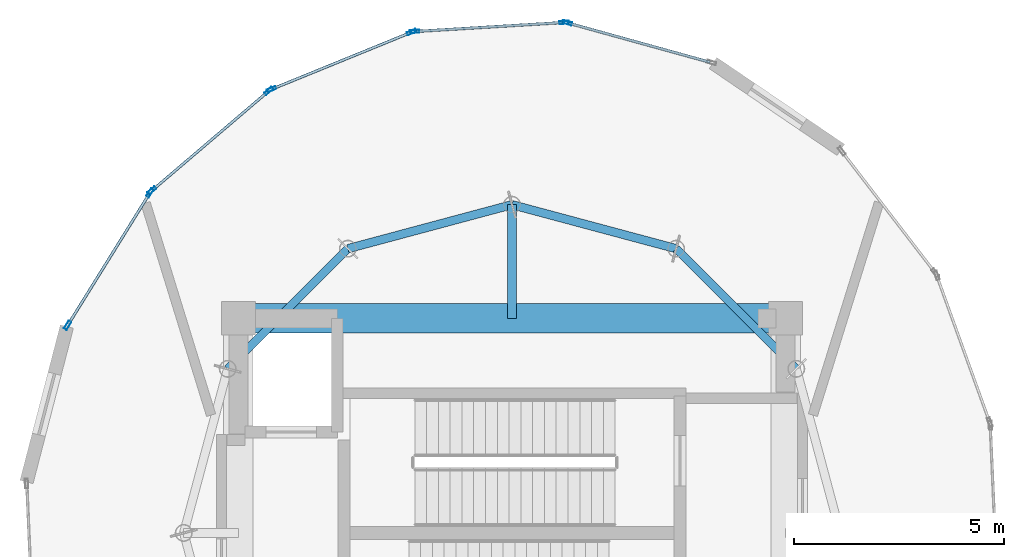
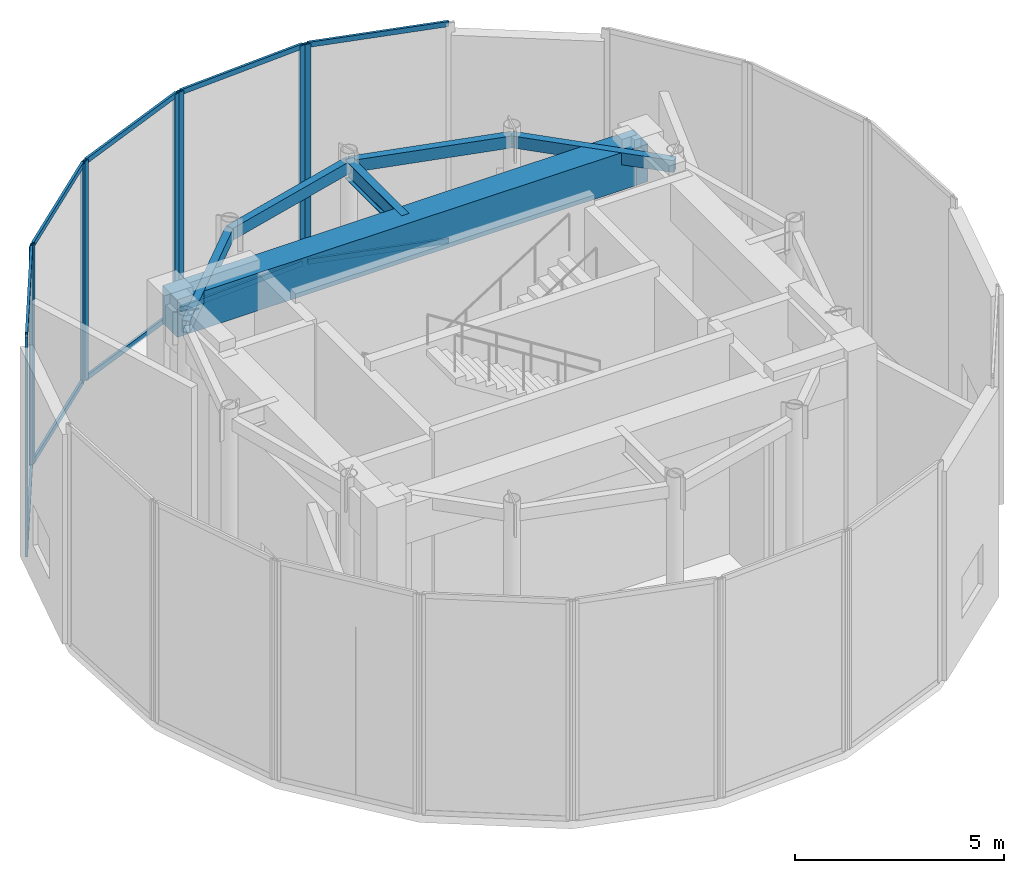
# One storey, part 5 of 9: 19 members, 6 beams, 5 elements without a shape of their own.
"""IFC4 building model written with IfcOpenShell, lengths in metres."""

from ifc_helpers import new_model, si_unit, direction, frame, origin, origin_2d, place, context, subcontext, project, spatial, rectangle, hollow_rectangle, i_section, extrude, source, transform, mapped, material, layer, layer_set, material_profile, profile_set, type_object, element, aggregate, save


model = new_model("IFC4")

# Units and contexts
model_context = context("Model", 3, precision=1e-05, world=origin(), true_north=direction((0.0, 1.0)))
body_context = subcontext(model_context, "Body", "Model", "MODEL_VIEW")
ifc_project = project(units=[si_unit("LENGTHUNIT", "METRE"), si_unit("AREAUNIT", "SQUARE_METRE"), si_unit("VOLUMEUNIT", "CUBIC_METRE"), si_unit("PLANEANGLEUNIT", "RADIAN"), si_unit("MASSUNIT", "GRAM", prefix="KILO")], contexts=[model_context])

# Site, building, storey
site_placement = place(None, origin())
site = spatial("IfcSite", under=ifc_project, at=site_placement, CompositionType="ELEMENT")
building_placement = place(site_placement, origin())
building = spatial("IfcBuilding", under=site, at=building_placement, Name="Solvirekh Grand Hotel", CompositionType="ELEMENT")
storey_placement = place(building_placement, frame((0.0, 0.0, 314.60009765625)))
storey = spatial("IfcBuildingStorey", under=building, at=storey_placement, Name="L80", CompositionType="ELEMENT", Elevation=314.60009765625)

# Beams
ifc_material_1 = material(Name="Concrete C60/75", Category="concrete")
ifc_material_profile_1 = material_profile(ifc_material_1, rectangle(XDim=0.699951171875, YDim=1.10009765625, at=origin_2d()), Name="RC BEAM 700X1100")
ifc_profile_set_1 = profile_set([ifc_material_profile_1], Name="Concrete C60/75")
beam_type_1 = type_object("IfcBeamType", Name="Beam_Core_RC1100", PredefinedType="BEAM", material=ifc_profile_set_1)
beam_1_placement = place(storey_placement, frame((6.5, 5.10009765625, 5.56982421875), z_axis=(-1.0, 0.0, 0.0), x_axis=(0.0, -1.0, 0.0)))
element("IfcBeam", 1, at=beam_1_placement, inside=storey, type_object=beam_type_1, Name="L80 core coupling ring beam 3", PredefinedType="BEAM", context=body_context, shape_type="SweptSolid", body=[
    extrude(rectangle(XDim=0.699951171875, YDim=1.10009765625, at=origin_2d()), origin(), (0.0, 0.0, 1.0), 13.0),
])
ifc_material_2 = material(Name="Steel S355", Category="steel")
ifc_material_profile_2 = material_profile(ifc_material_2, i_section(OverallWidth=0.2119140625, OverallDepth=0.5439453125, WebThickness=0.011962890625, FlangeThickness=0.01904296875, FilletRadius=0.013916015625, at=origin_2d()), Name="W530X123")
ifc_profile_set_2 = profile_set([ifc_material_profile_2], Name="Steel S355")
beam_type_2 = type_object("IfcBeamType", Name="Beam_Radial_W530H", PredefinedType="BEAM", material=ifc_profile_set_2)
beam_2_placement = place(storey_placement, frame((0.0, 5.10009765625, 5.847900390625), z_axis=(0.0, 1.0, 0.0), x_axis=(-1.0, 0.0, 0.0)))
element("IfcBeam", 2, at=beam_2_placement, inside=storey, type_object=beam_type_2, Name="L80 radial floor beam R04", PredefinedType="BEAM", context=body_context, shape_type="SweptSolid", body=[
    extrude(i_section(OverallWidth=0.2119140625, OverallDepth=0.5439453125, WebThickness=0.011962890625, FlangeThickness=0.01904296875, FilletRadius=0.013916015625, at=origin_2d()), origin(), (0.0, 0.0, 1.0), 2.699951171875),
])
ifc_material_profile_3 = material_profile(ifc_material_2, hollow_rectangle(XDim=0.199951171875, YDim=0.35009765625, WallThickness=0.013916015625, at=origin_2d()), Name="RHS 350X200X14")
ifc_profile_set_3 = profile_set([ifc_material_profile_3], Name="Steel S355")
beam_type_3 = type_object("IfcBeamType", Name="Spandrel_Crown_RHS350", PredefinedType="SPANDREL", material=ifc_profile_set_3)
for number, where, z_axis, x_axis, name in (
    (3, (6.7548828125, 3.89990234375, 5.94482421875), (-0.707106781187, 0.707106781187, 0.0), (-0.707106781187, -0.707106781187, 0.0), "L80 perimeter spandrel beam 2"),
    (4, (3.89990234375, 6.7548828125, 5.94482421875), (-0.965914040095, 0.258863027773, 0.0), (-0.258863027773, -0.965914040095, 0.0), "L80 perimeter spandrel beam 3"),
    (5, (0.0, 7.800048828125, 5.94482421875), (-0.965914040095, -0.258863027773, 0.0), (0.258863027773, -0.965914040095, 0.0), "L80 perimeter spandrel beam 4"),
    (6, (-3.89990234375, 6.7548828125, 5.94482421875), (-0.707106781187, -0.707106781187, 0.0), (0.707106781187, -0.707106781187, 0.0), "L80 perimeter spandrel beam 5"),
):
    element("IfcBeam", number, at=place(storey_placement, frame(where, z_axis=z_axis, x_axis=x_axis)), inside=storey, type_object=beam_type_3, Name=name, PredefinedType="SPANDREL", context=body_context, shape_type="SweptSolid", body=[
        extrude(hollow_rectangle(XDim=0.199951171875, YDim=0.35009765625, WallThickness=0.013916015625, at=origin_2d()), origin(), (0.0, 0.0, 1.0), 4.03759765625),
    ])

# Curtain wall, member
ifc_material_3 = material(Name="Anodized Bronze Aluminium 6063-T6", Category="aluminium")
ifc_layer = layer(ifc_material_3, 0.219970703125)
ifc_layer_set = layer_set([ifc_layer], Name="Anodized Bronze Aluminium 6063-T6")
curtain_wall_type = type_object("IfcCurtainWallType", Name="CW_Sys6_CrownFacetedPointCW", PredefinedType="NOTDEFINED", material=ifc_layer_set)
curtain_wall_1_placement = place(storey_placement, origin())
curtain_wall_1 = element("IfcCurtainWall", 7, at=curtain_wall_1_placement, inside=storey, type_object=curtain_wall_type, Name="L80 unitised bronze-glass curtain wall CW-L80-C10", PredefinedType="NOTDEFINED")
ifc_material_profile_4 = material_profile(ifc_material_3, hollow_rectangle(XDim=0.074951171875, YDim=0.219970703125, WallThickness=0.006103515625, at=origin_2d()), Name="ALU RHS 220X75X6")
ifc_profile_set_4 = profile_set([ifc_material_profile_4], Name="Anodized Bronze Aluminium 6063-T6")
member_type_1 = type_object("IfcMemberType", Name="CWMullion_Sys6", PredefinedType="MULLION", material=ifc_profile_set_4)
shared_shape_1 = source(origin(), body_context, "Body", "SweptSolid", [
    extrude(hollow_rectangle(XDim=0.074951171875, YDim=0.219970703125, WallThickness=0.006103515625, at=origin_2d()), origin(), (0.0, 0.0, 1.0), 6.39990234375),
])
member_1_placement = place(storey_placement, frame((1.31103515625, 12.123046875, 0.0), z_axis=(0.0, 0.0, 1.0), x_axis=(-0.266352197766, -0.963875773503, 0.0)))
member_1 = element("IfcMember", 8, at=member_1_placement, type_object=member_type_1, Name="U06 mullion 2", PredefinedType="MULLION", context=body_context, shape_type="MappedRepresentation", body=[
    mapped(shared_shape_1, transform((0.0, 0.0, 0.0), x_axis=(1.0, 0.0, 0.0), y_axis=(0.0, 1.0, 0.0), z_axis=(0.0, 0.0, 1.0), scale=1.0)),
])

# Curtain wall, members
curtain_wall_2_placement = place(storey_placement, origin())
curtain_wall_2 = element("IfcCurtainWall", 9, at=curtain_wall_2_placement, inside=storey, type_object=curtain_wall_type, Name="L80 unitised bronze-glass curtain wall CW-L80-C11", PredefinedType="NOTDEFINED")
member_2_placement = place(storey_placement, frame((1.237548828125, 12.130859375, 0.0), z_axis=(0.0, 0.0, 1.0), x_axis=(0.060270712136, -0.998182068191, 0.0)))
member_2 = element("IfcMember", 10, at=member_2_placement, type_object=member_type_1, Name="U06 mullion 1", PredefinedType="MULLION", context=body_context, shape_type="MappedRepresentation", body=[
    mapped(shared_shape_1, transform((0.0, 0.0, 0.0), x_axis=(1.0, 0.0, 0.0), y_axis=(0.0, 1.0, 0.0), z_axis=(0.0, 0.0, 1.0), scale=1.0)),
])
member_3_placement = place(storey_placement, frame((-2.314453125, 11.916259765625, 0.0), z_axis=(0.0, 0.0, 1.0), x_axis=(0.060270712136, -0.998182068191, 0.0)))
member_3 = element("IfcMember", 11, at=member_3_placement, type_object=member_type_1, Name="U06 mullion 2", PredefinedType="MULLION", context=body_context, shape_type="MappedRepresentation", body=[
    mapped(shared_shape_1, transform((0.0, 0.0, 0.0), x_axis=(1.0, 0.0, 0.0), y_axis=(0.0, 1.0, 0.0), z_axis=(0.0, 0.0, 1.0), scale=1.0)),
])

curtain_wall_3_placement = place(storey_placement, origin())
curtain_wall_3 = element("IfcCurtainWall", 12, at=curtain_wall_3_placement, inside=storey, type_object=curtain_wall_type, Name="L80 unitised bronze-glass curtain wall CW-L80-C12", PredefinedType="NOTDEFINED")
member_4_placement = place(storey_placement, frame((-2.38671875, 11.89990234375, 0.0), z_axis=(0.0, 0.0, 1.0), x_axis=(0.377539320526, -0.92599355368, 0.0)))
member_4 = element("IfcMember", 13, at=member_4_placement, type_object=member_type_1, Name="U06 mullion 1", PredefinedType="MULLION", context=body_context, shape_type="MappedRepresentation", body=[
    mapped(shared_shape_1, transform((0.0, 0.0, 0.0), x_axis=(1.0, 0.0, 0.0), y_axis=(0.0, 1.0, 0.0), z_axis=(0.0, 0.0, 1.0), scale=1.0)),
])
member_5_placement = place(storey_placement, frame((-5.71435546875, 10.543212890625, 0.0), z_axis=(0.0, 0.0, 1.0), x_axis=(0.377539320526, -0.92599355368, 0.0)))
member_5 = element("IfcMember", 14, at=member_5_placement, type_object=member_type_1, Name="U06 mullion 2", PredefinedType="MULLION", context=body_context, shape_type="MappedRepresentation", body=[
    mapped(shared_shape_1, transform((0.0, 0.0, 0.0), x_axis=(1.0, 0.0, 0.0), y_axis=(0.0, 1.0, 0.0), z_axis=(0.0, 0.0, 1.0), scale=1.0)),
])

curtain_wall_4_placement = place(storey_placement, origin())
curtain_wall_4 = element("IfcCurtainWall", 15, at=curtain_wall_4_placement, inside=storey, type_object=curtain_wall_type, Name="L80 unitised bronze-glass curtain wall CW-L80-C13", PredefinedType="NOTDEFINED")
member_6_placement = place(storey_placement, frame((-5.777587890625, 10.504638671875, 0.0), z_axis=(0.0, 0.0, 1.0), x_axis=(0.648622017713, -0.761110687179, 0.0)))
member_6 = element("IfcMember", 16, at=member_6_placement, type_object=member_type_1, Name="U06 mullion 1", PredefinedType="MULLION", context=body_context, shape_type="MappedRepresentation", body=[
    mapped(shared_shape_1, transform((0.0, 0.0, 0.0), x_axis=(1.0, 0.0, 0.0), y_axis=(0.0, 1.0, 0.0), z_axis=(0.0, 0.0, 1.0), scale=1.0)),
])
member_7_placement = place(storey_placement, frame((-8.555419921875, 8.13720703125, 0.0), z_axis=(0.0, 0.0, 1.0), x_axis=(0.648622017713, -0.761110687179, 0.0)))
member_7 = element("IfcMember", 17, at=member_7_placement, type_object=member_type_1, Name="U06 mullion 2", PredefinedType="MULLION", context=body_context, shape_type="MappedRepresentation", body=[
    mapped(shared_shape_1, transform((0.0, 0.0, 0.0), x_axis=(1.0, 0.0, 0.0), y_axis=(0.0, 1.0, 0.0), z_axis=(0.0, 0.0, 1.0), scale=1.0)),
])

curtain_wall_5_placement = place(storey_placement, origin())
curtain_wall_5 = element("IfcCurtainWall", 18, at=curtain_wall_5_placement, inside=storey, type_object=curtain_wall_type, Name="L80 unitised bronze-glass curtain wall CW-L80-C14", PredefinedType="NOTDEFINED")
member_8_placement = place(storey_placement, frame((-8.603759765625, 8.0810546875, 0.0), z_axis=(0.0, 0.0, 1.0), x_axis=(0.849452034062, -0.527665842961, 0.0)))
member_8 = element("IfcMember", 19, at=member_8_placement, type_object=member_type_1, Name="U06 mullion 1", PredefinedType="MULLION", context=body_context, shape_type="MappedRepresentation", body=[
    mapped(shared_shape_1, transform((0.0, 0.0, 0.0), x_axis=(1.0, 0.0, 0.0), y_axis=(0.0, 1.0, 0.0), z_axis=(0.0, 0.0, 1.0), scale=1.0)),
])
member_9_placement = place(storey_placement, frame((-10.55810546875, 4.934814453125, 0.0), z_axis=(0.0, 0.0, 1.0), x_axis=(0.849452034062, -0.527665842961, 0.0)))
member_9 = element("IfcMember", 20, at=member_9_placement, type_object=member_type_1, Name="U06 mullion 2", PredefinedType="MULLION", context=body_context, shape_type="MappedRepresentation", body=[
    mapped(shared_shape_1, transform((0.0, 0.0, 0.0), x_axis=(1.0, 0.0, 0.0), y_axis=(0.0, 1.0, 0.0), z_axis=(0.0, 0.0, 1.0), scale=1.0)),
])

# Member
ifc_material_profile_5 = material_profile(ifc_material_3, hollow_rectangle(XDim=0.06494140625, YDim=0.14990234375, WallThickness=0.0048828125, at=origin_2d()), Name="ALU RHS 150X65X5")
ifc_profile_set_5 = profile_set([ifc_material_profile_5], Name="Anodized Bronze Aluminium 6063-T6")
member_type_2 = type_object("IfcMemberType", Name="CWTransom_Sys6", PredefinedType="USERDEFINED", material=ifc_profile_set_5)
shared_shape_2 = source(origin(), body_context, "Body", "SweptSolid", [
    extrude(hollow_rectangle(XDim=0.06494140625, YDim=0.14990234375, WallThickness=0.0048828125, at=origin_2d()), origin(), (0.0, 0.0, 1.0), 3.483642578125),
])
member_10_placement = place(storey_placement, frame((1.2001953125, 12.12841796875, 0.032470703125), z_axis=(-0.998182064704, -0.060270769897, 0.0), x_axis=(0.060270769897, -0.998182064704, 0.0)))
member_10 = element("IfcMember", 21, at=member_10_placement, type_object=member_type_2, Name="U06 transom 1.1", ObjectType="TRANSOM", PredefinedType="USERDEFINED", context=body_context, shape_type="MappedRepresentation", body=[
    mapped(shared_shape_2, transform((0.0, 0.0, 0.0), x_axis=(1.0, 0.0, 0.0), y_axis=(0.0, 1.0, 0.0), z_axis=(0.0, 0.0, 1.0), scale=1.0)),
])

member_11_placement = place(storey_placement, frame((1.2001953125, 12.12841796875, 6.367431640625), z_axis=(-0.998182064704, -0.060270769897, 0.0), x_axis=(0.060270769897, -0.998182064704, 0.0)))
member_11 = element("IfcMember", 22, at=member_11_placement, type_object=member_type_2, Name="U06 transom 1.2", ObjectType="TRANSOM", PredefinedType="USERDEFINED", context=body_context, shape_type="MappedRepresentation", body=[
    mapped(shared_shape_2, transform((0.0, 0.0, 0.0), x_axis=(1.0, 0.0, 0.0), y_axis=(0.0, 1.0, 0.0), z_axis=(0.0, 0.0, 1.0), scale=1.0)),
])

aggregate(curtain_wall_2, [member_2, member_3, member_10, member_11])

shared_shape_3 = source(origin(), body_context, "Body", "SweptSolid", [
    extrude(hollow_rectangle(XDim=0.06494140625, YDim=0.14990234375, WallThickness=0.0048828125, at=origin_2d()), origin(), (0.0, 0.0, 1.0), 3.5185546875),
])
member_12_placement = place(storey_placement, frame((-2.42138671875, 11.8857421875, 0.032470703125), z_axis=(-0.925991754118, -0.377543734294, 0.0), x_axis=(0.377543734294, -0.925991754118, 0.0)))
member_12 = element("IfcMember", 23, at=member_12_placement, type_object=member_type_2, Name="U06 transom 1.1", ObjectType="TRANSOM", PredefinedType="USERDEFINED", context=body_context, shape_type="MappedRepresentation", body=[
    mapped(shared_shape_3, transform((0.0, 0.0, 0.0), x_axis=(1.0, 0.0, 0.0), y_axis=(0.0, 1.0, 0.0), z_axis=(0.0, 0.0, 1.0), scale=1.0)),
])

member_13_placement = place(storey_placement, frame((-2.42138671875, 11.8857421875, 6.367431640625), z_axis=(-0.925991754118, -0.377543734294, 0.0), x_axis=(0.377543734294, -0.925991754118, 0.0)))
member_13 = element("IfcMember", 24, at=member_13_placement, type_object=member_type_2, Name="U06 transom 1.2", ObjectType="TRANSOM", PredefinedType="USERDEFINED", context=body_context, shape_type="MappedRepresentation", body=[
    mapped(shared_shape_3, transform((0.0, 0.0, 0.0), x_axis=(1.0, 0.0, 0.0), y_axis=(0.0, 1.0, 0.0), z_axis=(0.0, 0.0, 1.0), scale=1.0)),
])

aggregate(curtain_wall_3, [member_4, member_5, member_12, member_13])

shared_shape_4 = source(origin(), body_context, "Body", "SweptSolid", [
    extrude(hollow_rectangle(XDim=0.06494140625, YDim=0.14990234375, WallThickness=0.0048828125, at=origin_2d()), origin(), (0.0, 0.0, 1.0), 3.62890625),
])
member_14_placement = place(storey_placement, frame((-8.62353515625, 8.04931640625, 0.032470703125), z_axis=(-0.527662606573, -0.849454044446, 0.0), x_axis=(0.849454044446, -0.527662606573, 0.0)))
member_14 = element("IfcMember", 25, at=member_14_placement, type_object=member_type_2, Name="U06 transom 1.1", ObjectType="TRANSOM", PredefinedType="USERDEFINED", context=body_context, shape_type="MappedRepresentation", body=[
    mapped(shared_shape_4, transform((0.0, 0.0, 0.0), x_axis=(1.0, 0.0, 0.0), y_axis=(0.0, 1.0, 0.0), z_axis=(0.0, 0.0, 1.0), scale=1.0)),
])

member_15_placement = place(storey_placement, frame((-8.62353515625, 8.04931640625, 6.367431640625), z_axis=(-0.527662606573, -0.849454044446, 0.0), x_axis=(0.849454044446, -0.527662606573, 0.0)))
member_15 = element("IfcMember", 26, at=member_15_placement, type_object=member_type_2, Name="U06 transom 1.2", ObjectType="TRANSOM", PredefinedType="USERDEFINED", context=body_context, shape_type="MappedRepresentation", body=[
    mapped(shared_shape_4, transform((0.0, 0.0, 0.0), x_axis=(1.0, 0.0, 0.0), y_axis=(0.0, 1.0, 0.0), z_axis=(0.0, 0.0, 1.0), scale=1.0)),
])

aggregate(curtain_wall_5, [member_8, member_9, member_14, member_15])

shared_shape_5 = source(origin(), body_context, "Body", "SweptSolid", [
    extrude(hollow_rectangle(XDim=0.06494140625, YDim=0.14990234375, WallThickness=0.0048828125, at=origin_2d()), origin(), (0.0, 0.0, 1.0), 3.484130859375),
])
member_16_placement = place(storey_placement, frame((4.705810546875, 11.18505859375, 0.032470703125), z_axis=(-0.96388042083, 0.26633537944, 0.0), x_axis=(-0.26633537944, -0.96388042083, 0.0)))
member_16 = element("IfcMember", 27, at=member_16_placement, type_object=member_type_2, Name="U06 transom 1.1", ObjectType="TRANSOM", PredefinedType="USERDEFINED", context=body_context, shape_type="MappedRepresentation", body=[
    mapped(shared_shape_5, transform((0.0, 0.0, 0.0), x_axis=(1.0, 0.0, 0.0), y_axis=(0.0, 1.0, 0.0), z_axis=(0.0, 0.0, 1.0), scale=1.0)),
])

member_17_placement = place(storey_placement, frame((4.705810546875, 11.18505859375, 6.367431640625), z_axis=(-0.96388042083, 0.26633537944, 0.0), x_axis=(-0.26633537944, -0.96388042083, 0.0)))
member_17 = element("IfcMember", 28, at=member_17_placement, type_object=member_type_2, Name="U06 transom 1.2", ObjectType="TRANSOM", PredefinedType="USERDEFINED", context=body_context, shape_type="MappedRepresentation", body=[
    mapped(shared_shape_5, transform((0.0, 0.0, 0.0), x_axis=(1.0, 0.0, 0.0), y_axis=(0.0, 1.0, 0.0), z_axis=(0.0, 0.0, 1.0), scale=1.0)),
])

aggregate(curtain_wall_1, [member_1, member_16, member_17])

shared_shape_6 = source(origin(), body_context, "Body", "SweptSolid", [
    extrude(hollow_rectangle(XDim=0.06494140625, YDim=0.14990234375, WallThickness=0.0048828125, at=origin_2d()), origin(), (0.0, 0.0, 1.0), 3.57470703125),
])
member_18_placement = place(storey_placement, frame((-5.80615234375, 10.48046875, 0.032470703125), z_axis=(-0.761075888616, -0.648662849073, 0.0), x_axis=(0.648662849073, -0.761075888616, 0.0)))
member_18 = element("IfcMember", 29, at=member_18_placement, type_object=member_type_2, Name="U06 transom 1.1", ObjectType="TRANSOM", PredefinedType="USERDEFINED", context=body_context, shape_type="MappedRepresentation", body=[
    mapped(shared_shape_6, transform((0.0, 0.0, 0.0), x_axis=(1.0, 0.0, 0.0), y_axis=(0.0, 1.0, 0.0), z_axis=(0.0, 0.0, 1.0), scale=1.0)),
])

member_19_placement = place(storey_placement, frame((-5.80615234375, 10.48046875, 6.367431640625), z_axis=(-0.761075888616, -0.648662849073, 0.0), x_axis=(0.648662849073, -0.761075888616, 0.0)))
member_19 = element("IfcMember", 30, at=member_19_placement, type_object=member_type_2, Name="U06 transom 1.2", ObjectType="TRANSOM", PredefinedType="USERDEFINED", context=body_context, shape_type="MappedRepresentation", body=[
    mapped(shared_shape_6, transform((0.0, 0.0, 0.0), x_axis=(1.0, 0.0, 0.0), y_axis=(0.0, 1.0, 0.0), z_axis=(0.0, 0.0, 1.0), scale=1.0)),
])

aggregate(curtain_wall_4, [member_6, member_7, member_18, member_19])

save(model, "model.ifc")
